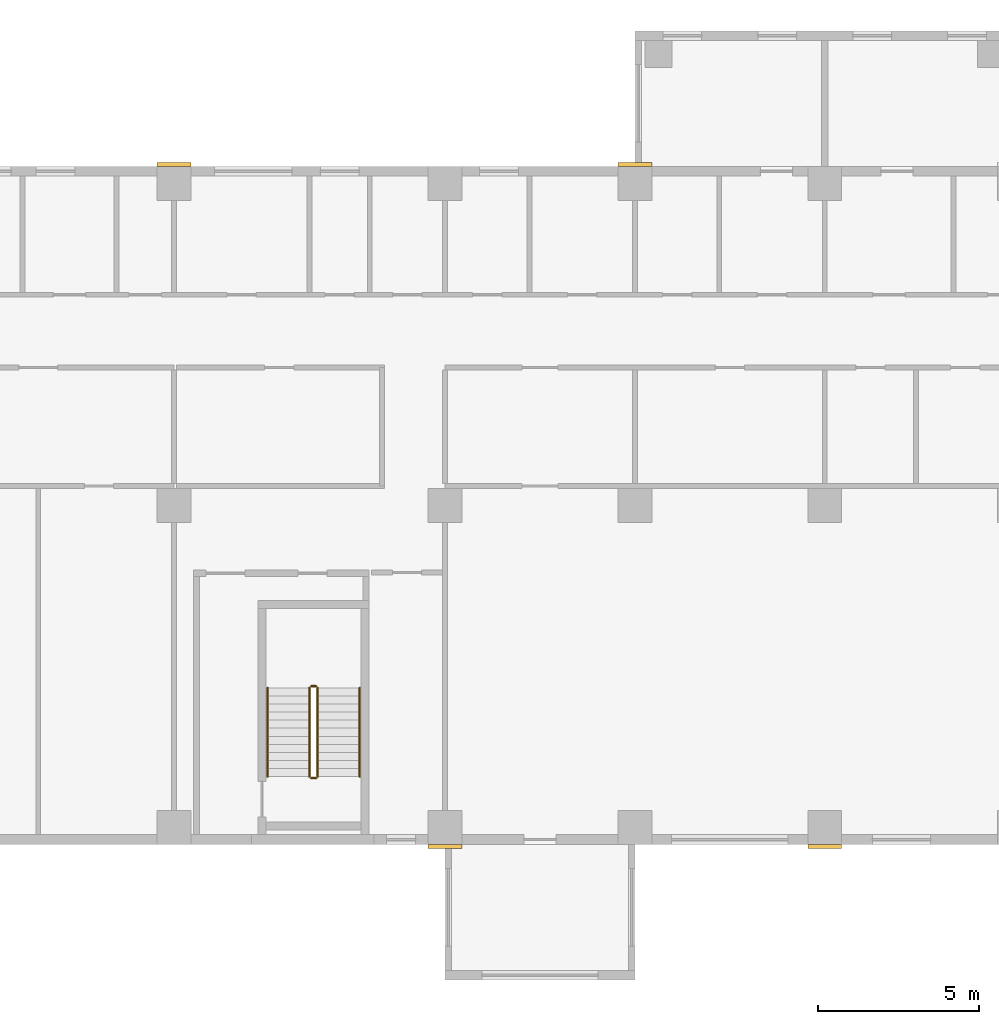
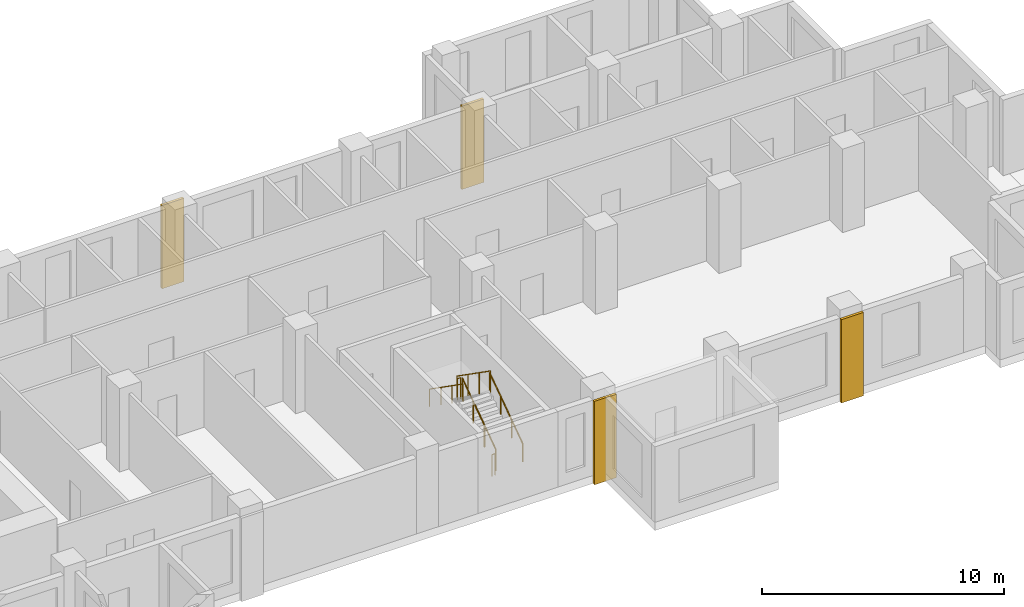
# One storey, part 12 of 14: 6 railings, 4 coverings.
"""IFC4 building model written with IfcOpenShell, lengths in metres."""

from ifc_helpers import new_model, si_unit, direction, frame, origin, origin_2d, place, context, subcontext, project, spatial, rectangle, circle, extrude, source, transform, mapped, material, type_object, element, save


model = new_model("IFC4")

# Units and contexts
model_context = context("Model", 3, precision=1e-05, world=origin(), true_north=direction((0.0, 1.0)))
body_context = subcontext(model_context, "Body", "Model", "MODEL_VIEW")
ifc_project = project(units=[si_unit("LENGTHUNIT", "METRE"), si_unit("AREAUNIT", "SQUARE_METRE"), si_unit("VOLUMEUNIT", "CUBIC_METRE"), si_unit("PLANEANGLEUNIT", "RADIAN"), si_unit("MASSUNIT", "GRAM", prefix="KILO")], contexts=[model_context])

# Site, building, storey
site_placement = place(None, origin())
site = spatial("IfcSite", under=ifc_project, at=site_placement, CompositionType="ELEMENT")
building_placement = place(site_placement, origin())
building = spatial("IfcBuilding", under=site, at=building_placement, Name="Aurelian Terraces", CompositionType="ELEMENT")
storey_placement = place(building_placement, frame((0.0, 0.0, 111.9)))
storey = spatial("IfcBuildingStorey", under=building, at=storey_placement, Name="L24", CompositionType="ELEMENT", Elevation=111.9)

# Coverings
ifc_material_1 = material(Name="Terracotta rainscreen cladding relief", Category="masonry")
covering_type = type_object("IfcCoveringType", Name="BAGUETTE-TC", PredefinedType="CLADDING", material=ifc_material_1)
shared_shape_1 = source(origin(), body_context, "Body", "SweptSolid", [
    extrude(rectangle(XDim=1.05, YDim=0.12, at=origin_2d()), origin(), (0.0, 0.0, 1.0), 4.2),
])
for number, where, z_axis, x_axis, name in (
    (1, (46.2, -0.06, -0.4), (0.0, 0.0, 1.0), (1.0, 0.0, 0.0), "BAGUETTE pier L24 3"),
    (2, (57.96, -0.06, -0.4), (0.0, 0.0, 1.0), (1.0, 0.0, 0.0), "BAGUETTE pier L24 4"),
    (3, (37.8, 21.06, -0.4), (0.0, 0.0, 1.0), (1.0, 0.0, 0.0), "BAGUETTE pier L24 7"),
    (4, (52.08, 21.06, -0.4), (0.0, 0.0, 1.0), (1.0, 0.0, 0.0), "BAGUETTE pier L24 8"),
):
    element("IfcCovering", number, at=place(storey_placement, frame(where, z_axis=z_axis, x_axis=x_axis)), inside=storey, type_object=covering_type, Name=name, PredefinedType="CLADDING", context=body_context, shape_type="MappedRepresentation", body=[
        mapped(shared_shape_1, transform((0.0, 0.0, 0.0), scale=1.0)),
    ])

# Railings
ifc_material_2 = material(Name="Stainless steel", Category="steel")
railing_type_1 = type_object("IfcRailingType", Name="Stair guard 1100", PredefinedType="GUARDRAIL", material=ifc_material_2)
shared_shape_2 = source(origin(), body_context, "Body", "SweptSolid", [
    extrude(circle(Radius=0.024, at=origin_2d()), frame((0.0, 0.0, 1.076), z_axis=(-1.0, 0.0, 0.0), x_axis=(0.0, -1.0, 0.0)), (0.0, 0.0, 1.0), 0.15),
    extrude(circle(Radius=0.021, at=origin_2d()), origin(), (0.0, 0.0, 1.0), 1.052),
    extrude(circle(Radius=0.021, at=origin_2d()), frame((-0.15, 0.0, 0.0)), (0.0, 0.0, 1.0), 1.052),
])
for number, where, name in (
    (5, (42.2, 4.9, 2.1), "L24 S2 stair guard 2"),
    (6, (42.2, 2.05, 0.0), "L24 S2 stair guard 4"),
):
    element("IfcRailing", number, at=place(storey_placement, frame(where)), inside=storey, type_object=railing_type_1, Name=name, PredefinedType="GUARDRAIL", context=body_context, shape_type="MappedRepresentation", body=[
        mapped(shared_shape_2, transform((0.0, 0.0, 0.0), scale=1.0)),
    ])
shared_shape_3 = source(origin(), body_context, "Body", "SweptSolid", [
    extrude(circle(Radius=0.024, at=origin_2d()), frame((0.0, 0.0, 1.076), z_axis=(0.0, 0.819231920519, 0.573462344363), x_axis=(-1.0, 0.0, 0.0)), (0.0, 0.0, 1.0), 3.3568),
    extrude(circle(Radius=0.021, at=origin_2d()), origin(), (0.0, 0.0, 1.0), 1.052),
    extrude(circle(Radius=0.021, at=origin_2d()), frame((0.0, 0.9167, 0.6417)), (0.0, 0.0, 1.0), 1.052),
    extrude(circle(Radius=0.021, at=origin_2d()), frame((0.0, 1.8333, 1.2833)), (0.0, 0.0, 1.0), 1.052),
    extrude(circle(Radius=0.021, at=origin_2d()), frame((0.0, 2.75, 1.925)), (0.0, 0.0, 1.0), 1.052),
])
railing_1_placement = place(storey_placement, frame((42.25, 2.1, 0.175)))
element("IfcRailing", 7, at=railing_1_placement, inside=storey, type_object=railing_type_1, Name="L24 S2 stair guard 1", PredefinedType="GUARDRAIL", context=body_context, shape_type="MappedRepresentation", body=[
    mapped(shared_shape_3, transform((0.0, 0.0, 0.0), scale=1.0)),
])
shared_shape_4 = source(origin(), body_context, "Body", "SweptSolid", [
    extrude(circle(Radius=0.024, at=origin_2d()), frame((0.0, 0.0, 1.076), z_axis=(0.0, -0.819231920519, 0.573462344363), x_axis=(1.0, 0.0, 0.0)), (0.0, 0.0, 1.0), 3.3568),
    extrude(circle(Radius=0.021, at=origin_2d()), origin(), (0.0, 0.0, 1.0), 1.052),
    extrude(circle(Radius=0.021, at=origin_2d()), frame((0.0, -0.9167, 0.6417)), (0.0, 0.0, 1.0), 1.052),
    extrude(circle(Radius=0.021, at=origin_2d()), frame((0.0, -1.8333, 1.2833)), (0.0, 0.0, 1.0), 1.052),
    extrude(circle(Radius=0.021, at=origin_2d()), frame((0.0, -2.75, 1.925)), (0.0, 0.0, 1.0), 1.052),
])
railing_2_placement = place(storey_placement, frame((42.0, 4.85, 2.275)))
element("IfcRailing", 8, at=railing_2_placement, inside=storey, type_object=railing_type_1, Name="L24 S2 stair guard 3", PredefinedType="GUARDRAIL", context=body_context, shape_type="MappedRepresentation", body=[
    mapped(shared_shape_4, transform((0.0, 0.0, 0.0), scale=1.0)),
])
railing_type_2 = type_object("IfcRailingType", Name="Stair handrail", PredefinedType="HANDRAIL", material=ifc_material_2)
shared_shape_5 = source(origin(), body_context, "Body", "SweptSolid", [
    extrude(circle(Radius=0.024, at=origin_2d()), frame((0.0, 0.0, 0.876), z_axis=(0.0, 0.819231920519, 0.573462344363), x_axis=(-1.0, 0.0, 0.0)), (0.0, 0.0, 1.0), 3.3568),
    extrude(circle(Radius=0.021, at=origin_2d()), origin(), (0.0, 0.0, 1.0), 0.852),
    extrude(circle(Radius=0.021, at=origin_2d()), frame((0.0, 0.9167, 0.6417)), (0.0, 0.0, 1.0), 0.852),
    extrude(circle(Radius=0.021, at=origin_2d()), frame((0.0, 1.8333, 1.2833)), (0.0, 0.0, 1.0), 0.852),
    extrude(circle(Radius=0.021, at=origin_2d()), frame((0.0, 2.75, 1.925)), (0.0, 0.0, 1.0), 0.852),
])
railing_3_placement = place(storey_placement, frame((43.55, 2.1, 0.175)))
element("IfcRailing", 9, at=railing_3_placement, inside=storey, type_object=railing_type_2, Name="L24 S2 stair handrail 1", PredefinedType="HANDRAIL", context=body_context, shape_type="MappedRepresentation", body=[
    mapped(shared_shape_5, transform((0.0, 0.0, 0.0), scale=1.0)),
])
shared_shape_6 = source(origin(), body_context, "Body", "SweptSolid", [
    extrude(circle(Radius=0.024, at=origin_2d()), frame((0.0, 0.0, 0.876), z_axis=(0.0, -0.819231920519, 0.573462344363), x_axis=(1.0, 0.0, 0.0)), (0.0, 0.0, 1.0), 3.3568),
    extrude(circle(Radius=0.021, at=origin_2d()), origin(), (0.0, 0.0, 1.0), 0.852),
    extrude(circle(Radius=0.021, at=origin_2d()), frame((0.0, -0.9167, 0.6417)), (0.0, 0.0, 1.0), 0.852),
    extrude(circle(Radius=0.021, at=origin_2d()), frame((0.0, -1.8333, 1.2833)), (0.0, 0.0, 1.0), 0.852),
    extrude(circle(Radius=0.021, at=origin_2d()), frame((0.0, -2.75, 1.925)), (0.0, 0.0, 1.0), 0.852),
])
railing_4_placement = place(storey_placement, frame((40.7, 4.85, 2.275)))
element("IfcRailing", 10, at=railing_4_placement, inside=storey, type_object=railing_type_2, Name="L24 S2 stair handrail 2", PredefinedType="HANDRAIL", context=body_context, shape_type="MappedRepresentation", body=[
    mapped(shared_shape_6, transform((0.0, 0.0, 0.0), scale=1.0)),
])

save(model, "model.ifc")
